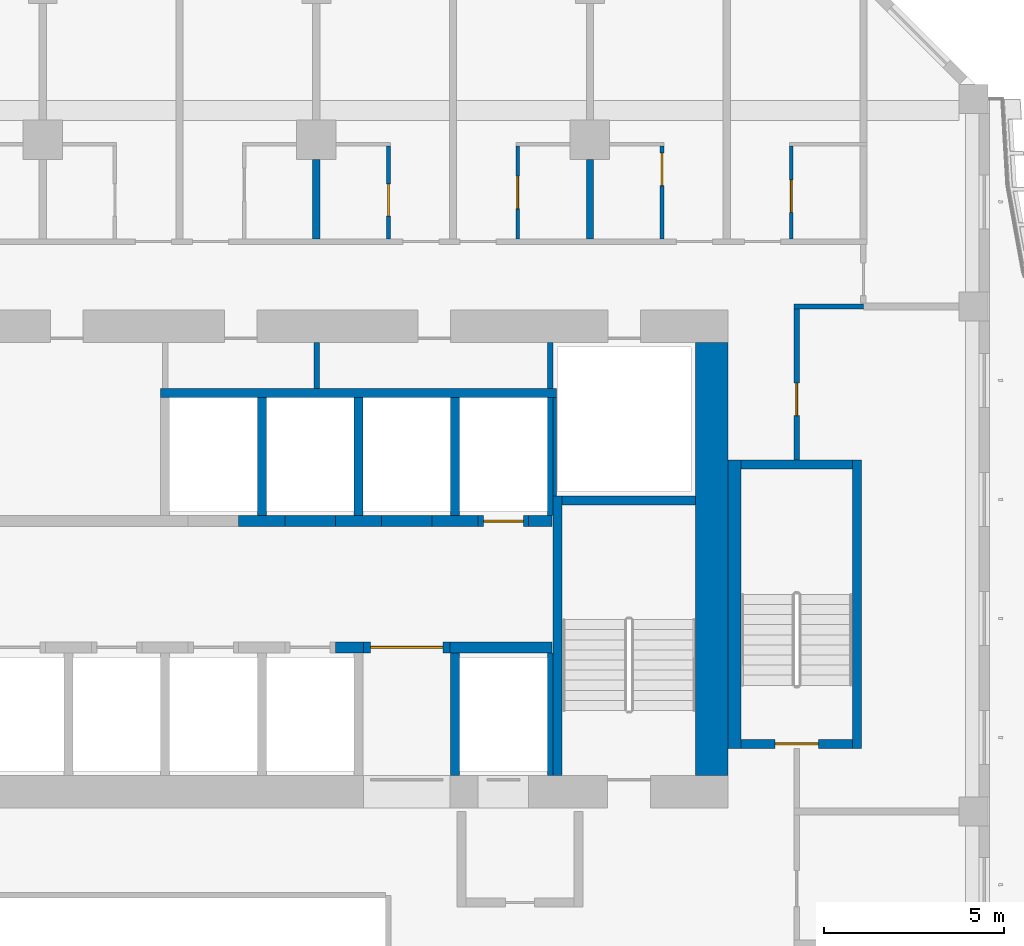
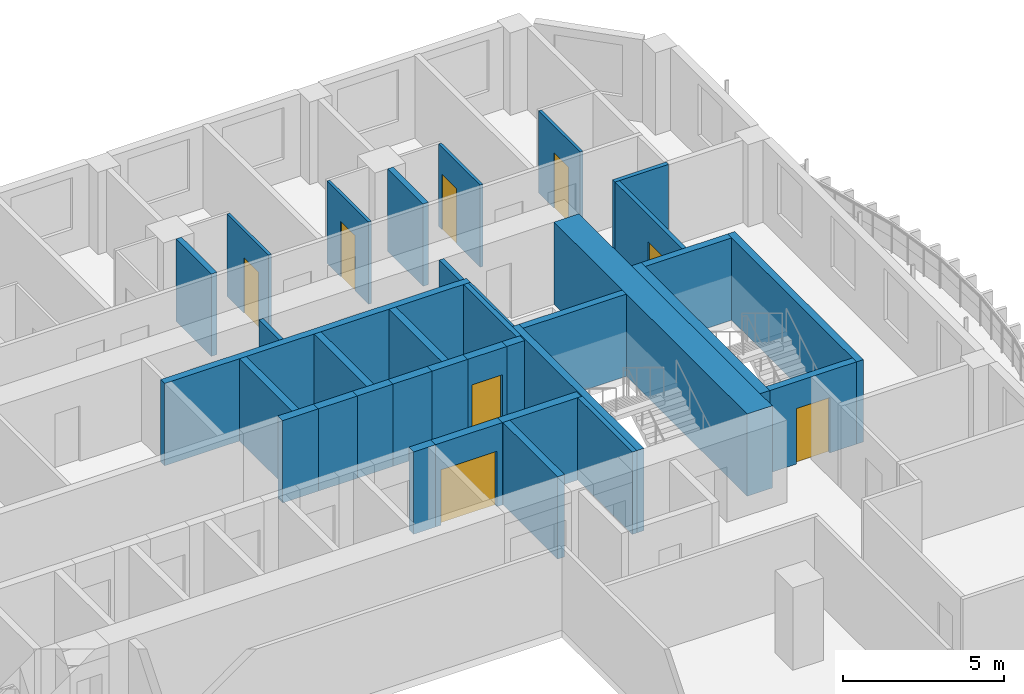
# One storey, part 9 of 21: 35 walls, 8 doors, 8 openings.
"""IFC4 building model written with IfcOpenShell, lengths in metres."""

from ifc_helpers import new_model, si_unit, direction, frame, frame_2d, origin, place, context, subcontext, project, spatial, rectangle, extrude, source, transform, mapped, material, layer, layer_set, type_object, element, fill, save


model = new_model("IFC4")

# Units and contexts
model_context = context("Model", 3, precision=1e-05, world=origin(), true_north=direction((0.0, 1.0)))
body_context = subcontext(model_context, "Body", "Model", "MODEL_VIEW")
ifc_project = project(units=[si_unit("LENGTHUNIT", "METRE"), si_unit("AREAUNIT", "SQUARE_METRE"), si_unit("VOLUMEUNIT", "CUBIC_METRE"), si_unit("PLANEANGLEUNIT", "RADIAN"), si_unit("MASSUNIT", "GRAM", prefix="KILO")], contexts=[model_context])

# Site, building, storey
site_placement = place(None, origin())
site = spatial("IfcSite", under=ifc_project, at=site_placement, CompositionType="ELEMENT")
building_placement = place(site_placement, origin())
building = spatial("IfcBuilding", under=site, at=building_placement, Name="Kilnfold Tower and Market Hall", CompositionType="ELEMENT")
storey_placement = place(building_placement, frame((0.0, 0.0, 147.300048828125)))
storey = spatial("IfcBuildingStorey", under=building, at=storey_placement, Name="L33", CompositionType="ELEMENT", Elevation=147.300048828125)

# Wall
ifc_material_1 = material(Name="Gypsum board on steel studs", Category="steel")
ifc_layer_1 = layer(ifc_material_1, 0.14990234375)
ifc_layer_set_1 = layer_set([ifc_layer_1], Name="Gypsum board on steel studs")
wall_type_1 = type_object("IfcWallType", Name="WALL CORRIDOR 150", PredefinedType="PARTITIONING", material=ifc_layer_set_1)
wall_1_placement = place(storey_placement, frame((19.824951171875, 22.0, 0.0), z_axis=(0.0, 0.0, 1.0), x_axis=(1.0, 0.0, 0.0)))
element("IfcWall", 1, at=wall_1_placement, inside=storey, type_object=wall_type_1, Name="Partition LY21.28", PredefinedType="PARTITIONING", context=body_context, shape_type="SweptSolid", body=[
    extrude(rectangle(XDim=1.925048828125, YDim=0.14990234375, at=frame_2d((0.96240234375, 0.0))), origin(), (0.0, 0.0, 1.0), 3.119873046875),
])

# Wall, opening, door
wall_2_placement = place(storey_placement, frame((19.89990234375, 17.75, 0.0), z_axis=(0.0, 0.0, 1.0), x_axis=(0.0, 1.0, 0.0)))
wall_2 = element("IfcWall", 2, at=wall_2_placement, inside=storey, type_object=wall_type_1, Name="Partition LY21.29", PredefinedType="PARTITIONING", context=body_context, shape_type="SweptSolid", body=[
    extrude(rectangle(XDim=4.175048828125, YDim=0.14990234375, at=frame_2d((2.08740234375, 0.0))), origin(), (0.0, 0.0, 1.0), 3.119873046875),
])
opening_1_placement = place(wall_2_placement, frame((1.22705078125, 0.0, 0.0)))
opening_1 = element("IfcOpeningElement", 3, at=opening_1_placement, cuts=wall_2, Name="Opening D2", PredefinedType="OPENING", context=body_context, shape_type="SweptSolid", body=[
    extrude(rectangle(XDim=0.89990234375, YDim=2.10009765625, at=frame_2d((0.449951171875, 1.050048828125))), frame((0.0, 0.0849609375, 0.0), z_axis=(0.0, -1.0, 0.0), x_axis=(1.0, 0.0, 0.0)), (0.0, 0.0, 1.0), 0.169921875),
])
ifc_material_2 = material(Name="Timber veneer door leaf in steel frame", Category="steel")
door_type_1 = type_object("IfcDoorType", Name="DOOR ROOM 900 X2100", OperationType="NOTDEFINED", PredefinedType="DOOR", material=ifc_material_2)
door_1_placement = place(opening_1_placement, origin())
door_1 = element("IfcDoor", 4, at=door_1_placement, inside=storey, type_object=door_type_1, Name="Door D2", OperationType="SINGLE_SWING_LEFT", OverallHeight=2.10009765625, OverallWidth=0.89990234375, PredefinedType="DOOR", context=body_context, shape_type="SweptSolid", body=[
    extrude(rectangle(XDim=0.89990234375, YDim=2.10009765625, at=frame_2d((0.449951171875, 1.050048828125))), frame((0.0, 0.02490234375, 0.0), z_axis=(0.0, -1.0, 0.0), x_axis=(1.0, 0.0, 0.0)), (0.0, 0.0, 1.0), 0.050048828125),
])
fill(opening_1, door_1)

ifc_material_3 = material(Name="Gypsum board on steel studs", Category="steel")
ifc_layer_2 = layer(ifc_material_3, 0.10009765625)
ifc_layer_set_2 = layer_set([ifc_layer_2], Name="Gypsum board on steel studs")
wall_type_2 = type_object("IfcWallType", Name="WALL PARTITION 100", PredefinedType="PARTITIONING", material=ifc_layer_set_2)
wall_3_placement = place(storey_placement, frame((8.5830078125, 26.451904296875, 0.0), z_axis=(0.0, 0.0, 1.0), x_axis=(0.0, -1.0, 0.0)))
wall_3 = element("IfcWall", 5, at=wall_3_placement, inside=storey, type_object=wall_type_2, Name="Partition LY21.109", PredefinedType="PARTITIONING", context=body_context, shape_type="SweptSolid", body=[
    extrude(rectangle(XDim=2.574951171875, YDim=0.10009765625, at=frame_2d((1.28759765625, 0.0))), origin(), (0.0, 0.0, 1.0), 3.119873046875),
])
opening_2_placement = place(wall_3_placement, frame((1.050048828125, 0.0, 0.0)))
opening_2 = element("IfcOpeningElement", 6, at=opening_2_placement, cuts=wall_3, Name="Opening D3", PredefinedType="OPENING", context=body_context, shape_type="SweptSolid", body=[
    extrude(rectangle(XDim=0.89990234375, YDim=2.10009765625, at=frame_2d((0.449951171875, 1.050048828125))), frame((0.0, 0.06005859375, 0.0), z_axis=(0.0, -1.0, 0.0), x_axis=(1.0, 0.0, 0.0)), (0.0, 0.0, 1.0), 0.1201171875),
])
ifc_material_4 = material(Name="Timber veneer door leaf in steel frame", Category="steel")
door_type_2 = type_object("IfcDoorType", Name="DOOR WC 900 X2100", OperationType="NOTDEFINED", PredefinedType="DOOR", material=ifc_material_4)
door_2_placement = place(opening_2_placement, origin())
door_2 = element("IfcDoor", 7, at=door_2_placement, inside=storey, type_object=door_type_2, Name="Door D3", OperationType="SINGLE_SWING_LEFT", OverallHeight=2.10009765625, OverallWidth=0.89990234375, PredefinedType="DOOR", context=body_context, shape_type="SweptSolid", body=[
    extrude(rectangle(XDim=0.89990234375, YDim=2.10009765625, at=frame_2d((0.449951171875, 1.050048828125))), frame((0.0, 0.02490234375, 0.0), z_axis=(0.0, -1.0, 0.0), x_axis=(1.0, 0.0, 0.0)), (0.0, 0.0, 1.0), 0.050048828125),
])
fill(opening_2, door_2)

wall_4_placement = place(storey_placement, frame((12.1669921875, 23.876953125, 0.0), z_axis=(0.0, 0.0, 1.0), x_axis=(0.0, 1.0, 0.0)))
wall_4 = element("IfcWall", 8, at=wall_4_placement, inside=storey, type_object=wall_type_2, Name="Partition LY21.112", PredefinedType="PARTITIONING", context=body_context, shape_type="SweptSolid", body=[
    extrude(rectangle(XDim=2.574951171875, YDim=0.10009765625, at=frame_2d((1.28759765625, 0.0))), origin(), (0.0, 0.0, 1.0), 3.119873046875),
])
opening_3_placement = place(wall_4_placement, frame((0.837890625, 0.0, 0.0)))
opening_3 = element("IfcOpeningElement", 9, at=opening_3_placement, cuts=wall_4, Name="Opening D3", PredefinedType="OPENING", context=body_context, shape_type="SweptSolid", body=[
    extrude(rectangle(XDim=0.89990234375, YDim=2.10009765625, at=frame_2d((0.449951171875, 1.050048828125))), frame((0.0, 0.06005859375, 0.0), z_axis=(0.0, -1.0, 0.0), x_axis=(1.0, 0.0, 0.0)), (0.0, 0.0, 1.0), 0.1201171875),
])
door_3_placement = place(opening_3_placement, origin())
door_3 = element("IfcDoor", 10, at=door_3_placement, inside=storey, type_object=door_type_2, Name="Door D3", OperationType="SINGLE_SWING_LEFT", OverallHeight=2.10009765625, OverallWidth=0.89990234375, PredefinedType="DOOR", context=body_context, shape_type="SweptSolid", body=[
    extrude(rectangle(XDim=0.89990234375, YDim=2.10009765625, at=frame_2d((0.449951171875, 1.050048828125))), frame((0.0, 0.02490234375, 0.0), z_axis=(0.0, -1.0, 0.0), x_axis=(1.0, 0.0, 0.0)), (0.0, 0.0, 1.0), 0.050048828125),
])
fill(opening_3, door_3)

wall_5_placement = place(storey_placement, frame((16.1669921875, 26.451904296875, 0.0), z_axis=(0.0, 0.0, 1.0), x_axis=(0.0, -1.0, 0.0)))
wall_5 = element("IfcWall", 11, at=wall_5_placement, inside=storey, type_object=wall_type_2, Name="Partition LY21.116", PredefinedType="PARTITIONING", context=body_context, shape_type="SweptSolid", body=[
    extrude(rectangle(XDim=2.574951171875, YDim=0.10009765625, at=frame_2d((1.28759765625, 0.0))), origin(), (0.0, 0.0, 1.0), 3.119873046875),
])
opening_4_placement = place(wall_5_placement, frame((0.199951171875, 0.0, 0.0)))
opening_4 = element("IfcOpeningElement", 12, at=opening_4_placement, cuts=wall_5, Name="Opening D3", PredefinedType="OPENING", context=body_context, shape_type="SweptSolid", body=[
    extrude(rectangle(XDim=0.89990234375, YDim=2.10009765625, at=frame_2d((0.449951171875, 1.050048828125))), frame((0.0, 0.06005859375, 0.0), z_axis=(0.0, -1.0, 0.0), x_axis=(1.0, 0.0, 0.0)), (0.0, 0.0, 1.0), 0.1201171875),
])
door_4_placement = place(opening_4_placement, origin())
door_4 = element("IfcDoor", 13, at=door_4_placement, inside=storey, type_object=door_type_2, Name="Door D3", OperationType="SINGLE_SWING_LEFT", OverallHeight=2.10009765625, OverallWidth=0.89990234375, PredefinedType="DOOR", context=body_context, shape_type="SweptSolid", body=[
    extrude(rectangle(XDim=0.89990234375, YDim=2.10009765625, at=frame_2d((0.449951171875, 1.050048828125))), frame((0.0, 0.02490234375, 0.0), z_axis=(0.0, -1.0, 0.0), x_axis=(1.0, 0.0, 0.0)), (0.0, 0.0, 1.0), 0.050048828125),
])
fill(opening_4, door_4)

wall_6_placement = place(storey_placement, frame((19.75, 23.876953125, 0.0), z_axis=(0.0, 0.0, 1.0), x_axis=(0.0, 1.0, 0.0)))
wall_6 = element("IfcWall", 14, at=wall_6_placement, inside=storey, type_object=wall_type_2, Name="Partition LY21.119", PredefinedType="PARTITIONING", context=body_context, shape_type="SweptSolid", body=[
    extrude(rectangle(XDim=2.574951171875, YDim=0.10009765625, at=frame_2d((1.28759765625, 0.0))), origin(), (0.0, 0.0, 1.0), 3.119873046875),
])
opening_5_placement = place(wall_6_placement, frame((0.73095703125, 0.0, 0.0)))
opening_5 = element("IfcOpeningElement", 15, at=opening_5_placement, cuts=wall_6, Name="Opening D3", PredefinedType="OPENING", context=body_context, shape_type="SweptSolid", body=[
    extrude(rectangle(XDim=0.89990234375, YDim=2.10009765625, at=frame_2d((0.449951171875, 1.050048828125))), frame((0.0, 0.06005859375, 0.0), z_axis=(0.0, -1.0, 0.0), x_axis=(1.0, 0.0, 0.0)), (0.0, 0.0, 1.0), 0.1201171875),
])
door_5_placement = place(opening_5_placement, origin())
door_5 = element("IfcDoor", 16, at=door_5_placement, inside=storey, type_object=door_type_2, Name="Door D3", OperationType="SINGLE_SWING_RIGHT", OverallHeight=2.10009765625, OverallWidth=0.89990234375, PredefinedType="DOOR", context=body_context, shape_type="SweptSolid", body=[
    extrude(rectangle(XDim=0.89990234375, YDim=2.10009765625, at=frame_2d((0.449951171875, 1.050048828125))), frame((0.0, 0.02490234375, 0.0), z_axis=(0.0, -1.0, 0.0), x_axis=(1.0, 0.0, 0.0)), (0.0, 0.0, 1.0), 0.050048828125),
])
fill(opening_5, door_5)

# Walls
ifc_material_5 = material(Name="Gypsum board on steel studs", Category="steel")
ifc_layer_3 = layer(ifc_material_5, 0.199951171875)
ifc_layer_set_3 = layer_set([ifc_layer_3], Name="Gypsum board on steel studs")
wall_type_3 = type_object("IfcWallType", Name="WALL PARTY 200", PredefinedType="PARTITIONING", material=ifc_layer_set_3)
for number, where, z_axis, x_axis, name in (
    (17, (6.5830078125, 23.876953125, 0.0), (0.0, 0.0, 1.0), (0.0, 1.0, 0.0), "Partition LY21.107"),
    (18, (14.1669921875, 23.876953125, 0.0), (0.0, 0.0, 1.0), (0.0, 1.0, 0.0), "Partition LY21.114"),
):
    element("IfcWall", number, at=place(storey_placement, frame(where, z_axis=z_axis, x_axis=x_axis)), inside=storey, type_object=wall_type_3, Name=name, PredefinedType="PARTITIONING", context=body_context, shape_type="SweptSolid", body=[
        extrude(rectangle(XDim=2.197998046875, YDim=0.199951171875, at=frame_2d((1.09912109375, 0.0))), origin(), (0.0, 0.0, 1.0), 3.119873046875),
    ])
ifc_material_6 = material(Name="Concrete C70", Category="concrete")
ifc_layer_4 = layer(ifc_material_6, 0.89990234375)
ifc_layer_set_4 = layer_set([ifc_layer_4], Name="Concrete C70")
wall_type_4 = type_object("IfcWallType", Name="CORE WALL 900 C70", PredefinedType="SHEAR", material=ifc_layer_set_4)
shared_shape_1 = source(origin(), body_context, "Body", "SweptSolid", [
    extrude(rectangle(XDim=12.0, YDim=0.89990234375, at=frame_2d((6.0, 0.0))), origin(), (0.0, 0.0, 1.0), 3.119873046875),
])
wall_7_placement = place(storey_placement, frame((17.550048828125, 9.0, 0.0), z_axis=(0.0, 0.0, 1.0), x_axis=(0.0, 1.0, 0.0)))
element("IfcWall", 19, at=wall_7_placement, inside=storey, type_object=wall_type_4, Name="Core outer wall east", PredefinedType="SHEAR", context=body_context, shape_type="MappedRepresentation", body=[
    mapped(shared_shape_1, transform((0.0, 0.0, 0.0))),
])
ifc_material_7 = material(Name="Concrete C70", Category="concrete")
ifc_layer_5 = layer(ifc_material_7, 0.25)
ifc_layer_set_5 = layer_set([ifc_layer_5], Name="Concrete C70")
wall_type_5 = type_object("IfcWallType", Name="CORE WALL 250 C70", PredefinedType="SHEAR", material=ifc_layer_set_5)
shared_shape_2 = source(origin(), body_context, "Body", "SweptSolid", [
    extrude(rectangle(XDim=7.75, YDim=0.25, at=frame_2d((3.875, 0.0))), origin(), (0.0, 0.0, 1.0), 3.119873046875),
])
wall_8_placement = place(storey_placement, frame((13.27490234375, 9.0, 0.0), z_axis=(0.0, 0.0, 1.0), x_axis=(0.0, 1.0, 0.0)))
element("IfcWall", 20, at=wall_8_placement, inside=storey, type_object=wall_type_5, Name="Stair enclosure ST2", PredefinedType="SHEAR", context=body_context, shape_type="MappedRepresentation", body=[
    mapped(shared_shape_2, transform((0.0, 0.0, 0.0))),
])
shared_shape_3 = source(origin(), body_context, "Body", "SweptSolid", [
    extrude(rectangle(XDim=3.7001953125, YDim=0.25, at=frame_2d((1.85009765625, 0.0))), origin(), (0.0, 0.0, 1.0), 3.119873046875),
])
wall_9_placement = place(storey_placement, frame((13.39990234375, 16.625, 0.0), z_axis=(0.0, 0.0, 1.0), x_axis=(1.0, 0.0, 0.0)))
element("IfcWall", 21, at=wall_9_placement, inside=storey, type_object=wall_type_5, Name="Stair enclosure ST2", PredefinedType="SHEAR", context=body_context, shape_type="MappedRepresentation", body=[
    mapped(shared_shape_3, transform((0.0, 0.0, 0.0))),
])
shared_shape_4 = source(origin(), body_context, "Body", "SweptSolid", [
    extrude(rectangle(XDim=8.0, YDim=0.25, at=frame_2d((4.0, 0.0))), origin(), (0.0, 0.0, 1.0), 3.119873046875),
])
wall_10_placement = place(storey_placement, frame((21.574951171875, 9.75, 0.0), z_axis=(0.0, 0.0, 1.0), x_axis=(0.0, 1.0, 0.0)))
element("IfcWall", 22, at=wall_10_placement, inside=storey, type_object=wall_type_5, Name="Stair enclosure ST5", PredefinedType="SHEAR", context=body_context, shape_type="MappedRepresentation", body=[
    mapped(shared_shape_4, transform((0.0, 0.0, 0.0))),
])
ifc_material_8 = material(Name="Concrete C70", Category="concrete")
ifc_layer_6 = layer(ifc_material_8, 0.35009765625)
ifc_layer_set_6 = layer_set([ifc_layer_6], Name="Concrete C70")
wall_type_6 = type_object("IfcWallType", Name="CORE WALL 350 C70", PredefinedType="SHEAR", material=ifc_layer_set_6)
shared_shape_5 = source(origin(), body_context, "Body", "SweptSolid", [
    extrude(rectangle(XDim=8.0, YDim=0.35009765625, at=frame_2d((4.0, 0.0))), origin(), (0.0, 0.0, 1.0), 3.119873046875),
])
wall_11_placement = place(storey_placement, frame((18.175048828125, 9.75, 0.0), z_axis=(0.0, 0.0, 1.0), x_axis=(0.0, 1.0, 0.0)))
element("IfcWall", 23, at=wall_11_placement, inside=storey, type_object=wall_type_6, Name="Stair enclosure ST5", PredefinedType="SHEAR", context=body_context, shape_type="MappedRepresentation", body=[
    mapped(shared_shape_5, transform((0.0, 0.0, 0.0))),
])

# Wall, opening, door
shared_shape_6 = source(origin(), body_context, "Body", "SweptSolid", [
    extrude(rectangle(XDim=3.099853515625, YDim=0.25, at=frame_2d((1.5498046875, 0.0))), origin(), (0.0, 0.0, 1.0), 3.119873046875),
])
wall_12_placement = place(storey_placement, frame((18.35009765625, 9.875, 0.0), z_axis=(0.0, 0.0, 1.0), x_axis=(1.0, 0.0, 0.0)))
wall_12 = element("IfcWall", 24, at=wall_12_placement, inside=storey, type_object=wall_type_5, Name="Stair enclosure ST5", PredefinedType="SHEAR", context=body_context, shape_type="MappedRepresentation", body=[
    mapped(shared_shape_6, transform((0.0, 0.0, 0.0))),
])
opening_6_placement = place(wall_12_placement, frame((0.949951171875, 0.0, 0.0)))
opening_6 = element("IfcOpeningElement", 25, at=opening_6_placement, cuts=wall_12, Name="Opening SD1", PredefinedType="OPENING", context=body_context, shape_type="SweptSolid", body=[
    extrude(rectangle(XDim=1.199951171875, YDim=2.10009765625, at=frame_2d((0.60009765625, 1.050048828125))), frame((0.0, 0.135009765625, 0.0), z_axis=(0.0, -1.0, 0.0), x_axis=(1.0, 0.0, 0.0)), (0.0, 0.0, 1.0), 0.27001953125),
])
ifc_material_9 = material(Name="Steel door set with fire-resisting leaf", Category="steel")
door_type_3 = type_object("IfcDoorType", Name="STAIR FLOOR DOOR 1200X2100", OperationType="NOTDEFINED", PredefinedType="DOOR", material=ifc_material_9)
door_6_placement = place(opening_6_placement, origin())
door_6 = element("IfcDoor", 26, at=door_6_placement, inside=storey, type_object=door_type_3, Name="Exit stair ST5 door", OperationType="DOUBLE_DOOR_SINGLE_SWING", OverallHeight=2.10009765625, OverallWidth=1.199951171875, PredefinedType="DOOR", context=body_context, shape_type="SweptSolid", body=[
    extrude(rectangle(XDim=1.199951171875, YDim=2.10009765625, at=frame_2d((0.60009765625, 1.050048828125))), frame((0.0, 0.02490234375, 0.0), z_axis=(0.0, -1.0, 0.0), x_axis=(1.0, 0.0, 0.0)), (0.0, 0.0, 1.0), 0.050048828125),
])
fill(opening_6, door_6)

# Walls
wall_13_placement = place(storey_placement, frame((18.35009765625, 17.625, 0.0), z_axis=(0.0, 0.0, 1.0), x_axis=(1.0, 0.0, 0.0)))
element("IfcWall", 27, at=wall_13_placement, inside=storey, type_object=wall_type_5, Name="Stair enclosure ST5", PredefinedType="SHEAR", context=body_context, shape_type="MappedRepresentation", body=[
    mapped(shared_shape_6, transform((0.0, 0.0, 0.0))),
])
ifc_material_10 = material(Name="Concrete C70", Category="concrete")
ifc_layer_7 = layer(ifc_material_10, 0.300048828125)
ifc_layer_set_7 = layer_set([ifc_layer_7], Name="Concrete C70")
wall_type_7 = type_object("IfcWallType", Name="CORE WALL 300 C70", PredefinedType="SHEAR", material=ifc_layer_set_7)
shared_shape_7 = source(origin(), body_context, "Body", "SweptSolid", [
    extrude(rectangle(XDim=1.280029296875, YDim=0.300048828125, at=frame_2d((0.64013671875, 0.0))), origin(), (0.0, 0.0, 1.0), 3.119873046875),
])
for number, where, z_axis, x_axis, name in (
    (28, (4.429931640625, 16.050048828125, 0.0), (0.0, 0.0, 1.0), (1.0, 0.0, 0.0), "Core spine wall"),
    (29, (9.7900390625, 16.050048828125, 0.0), (0.0, 0.0, 1.0), (1.0, 0.0, 0.0), "Core spine wall"),
):
    element("IfcWall", number, at=place(storey_placement, frame(where, z_axis=z_axis, x_axis=x_axis)), inside=storey, type_object=wall_type_7, Name=name, PredefinedType="SHEAR", context=body_context, shape_type="MappedRepresentation", body=[
        mapped(shared_shape_7, transform((0.0, 0.0, 0.0))),
    ])
shared_shape_8 = source(origin(), body_context, "Body", "SweptSolid", [
    extrude(rectangle(XDim=0.77978515625, YDim=0.300048828125, at=frame_2d((0.389892578125, 0.0))), origin(), (0.0, 0.0, 1.0), 3.119873046875),
])
wall_14_placement = place(storey_placement, frame((7.110107421875, 12.550048828125, 0.0), z_axis=(0.0, 0.0, 1.0), x_axis=(1.0, 0.0, 0.0)))
element("IfcWall", 30, at=wall_14_placement, inside=storey, type_object=wall_type_7, Name="Core spine wall", PredefinedType="SHEAR", context=body_context, shape_type="MappedRepresentation", body=[
    mapped(shared_shape_8, transform((0.0, 0.0, 0.0))),
])
shared_shape_9 = source(origin(), body_context, "Body", "SweptSolid", [
    extrude(rectangle(XDim=2.820068359375, YDim=0.300048828125, at=frame_2d((1.41015625, 0.0))), origin(), (0.0, 0.0, 1.0), 3.119873046875),
])
wall_15_placement = place(storey_placement, frame((10.2900390625, 12.550048828125, 0.0), z_axis=(0.0, 0.0, 1.0), x_axis=(1.0, 0.0, 0.0)))
element("IfcWall", 31, at=wall_15_placement, inside=storey, type_object=wall_type_7, Name="Core spine wall", PredefinedType="SHEAR", context=body_context, shape_type="MappedRepresentation", body=[
    mapped(shared_shape_9, transform((0.0, 0.0, 0.0))),
])
shared_shape_10 = source(origin(), body_context, "Body", "SweptSolid", [
    extrude(rectangle(XDim=1.27978515625, YDim=0.300048828125, at=frame_2d((0.639892578125, 0.0))), origin(), (0.0, 0.0, 1.0), 3.119873046875),
])
wall_16_placement = place(storey_placement, frame((7.110107421875, 16.050048828125, 0.0), z_axis=(0.0, 0.0, 1.0), x_axis=(1.0, 0.0, 0.0)))
element("IfcWall", 32, at=wall_16_placement, inside=storey, type_object=wall_type_7, Name="Core spine wall", PredefinedType="SHEAR", context=body_context, shape_type="MappedRepresentation", body=[
    mapped(shared_shape_10, transform((0.0, 0.0, 0.0))),
])
shared_shape_11 = source(origin(), body_context, "Body", "SweptSolid", [
    extrude(rectangle(XDim=0.64013671875, YDim=0.300048828125, at=frame_2d((0.320068359375, 0.0))), origin(), (0.0, 0.0, 1.0), 3.119873046875),
])
wall_17_placement = place(storey_placement, frame((12.469970703125, 16.050048828125, 0.0), z_axis=(0.0, 0.0, 1.0), x_axis=(1.0, 0.0, 0.0)))
element("IfcWall", 33, at=wall_17_placement, inside=storey, type_object=wall_type_7, Name="Core spine wall", PredefinedType="SHEAR", context=body_context, shape_type="MappedRepresentation", body=[
    mapped(shared_shape_11, transform((0.0, 0.0, 0.0))),
])

# Wall, opening, door
ifc_material_11 = material(Name="Gypsum shaft wall system")
ifc_layer_8 = layer(ifc_material_11, 0.300048828125)
ifc_layer_set_8 = layer_set([ifc_layer_8], Name="Gypsum shaft wall system")
wall_type_8 = type_object("IfcWallType", Name="SHAFT WALL 300", PredefinedType="PARTITIONING", material=ifc_layer_set_8)
shared_shape_12 = source(origin(), body_context, "Body", "SweptSolid", [
    extrude(rectangle(XDim=1.39990234375, YDim=0.300048828125, at=frame_2d((0.699951171875, 0.0))), origin(), (0.0, 0.0, 1.0), 3.119873046875),
])
wall_18_placement = place(storey_placement, frame((11.070068359375, 16.050048828125, 0.0), z_axis=(0.0, 0.0, 1.0), x_axis=(1.0, 0.0, 0.0)))
wall_18 = element("IfcWall", 34, at=wall_18_placement, inside=storey, type_object=wall_type_8, Name="Lift shaft front wall", PredefinedType="PARTITIONING", context=body_context, shape_type="MappedRepresentation", body=[
    mapped(shared_shape_12, transform((0.0, 0.0, 0.0))),
])
opening_7_placement = place(wall_18_placement, frame((0.14990234375, 0.0, 0.0)))
opening_7 = element("IfcOpeningElement", 35, at=opening_7_placement, cuts=wall_18, Name="Opening LD2", PredefinedType="OPENING", context=body_context, shape_type="SweptSolid", body=[
    extrude(rectangle(XDim=1.10009765625, YDim=2.10009765625, at=frame_2d((0.550048828125, 1.050048828125))), frame((0.0, 0.16015625, 0.0), z_axis=(0.0, -1.0, 0.0), x_axis=(1.0, 0.0, 0.0)), (0.0, 0.0, 1.0), 0.320068359375),
])
ifc_material_12 = material(Name="Steel door set with fire-resisting leaf", Category="steel")
door_type_4 = type_object("IfcDoorType", Name="LANDING DOOR 1100X2100", OperationType="NOTDEFINED", PredefinedType="DOOR", material=ifc_material_12)
door_7_placement = place(opening_7_placement, origin())
door_7 = element("IfcDoor", 36, at=door_7_placement, inside=storey, type_object=door_type_4, Name="Landing door MR6", OperationType="DOUBLE_DOOR_SLIDING", OverallHeight=2.10009765625, OverallWidth=1.10009765625, PredefinedType="DOOR", context=body_context, shape_type="SweptSolid", body=[
    extrude(rectangle(XDim=1.10009765625, YDim=2.10009765625, at=frame_2d((0.550048828125, 1.050048828125))), frame((0.0, 0.02490234375, 0.0), z_axis=(0.0, -1.0, 0.0), x_axis=(1.0, 0.0, 0.0)), (0.0, 0.0, 1.0), 0.050048828125),
])
fill(opening_7, door_7)

# Walls
shared_shape_13 = source(origin(), body_context, "Body", "SweptSolid", [
    extrude(rectangle(XDim=1.400146484375, YDim=0.300048828125, at=frame_2d((0.7001953125, 0.0))), origin(), (0.0, 0.0, 1.0), 3.119873046875),
])
for number, where, z_axis, x_axis, name in (
    (37, (5.7099609375, 16.050048828125, 0.0), (0.0, 0.0, 1.0), (1.0, 0.0, 0.0), "Lift shaft front wall"),
    (38, (8.389892578125, 16.050048828125, 0.0), (0.0, 0.0, 1.0), (1.0, 0.0, 0.0), "Lift shaft front wall"),
):
    element("IfcWall", number, at=place(storey_placement, frame(where, z_axis=z_axis, x_axis=x_axis)), inside=storey, type_object=wall_type_8, Name=name, PredefinedType="PARTITIONING", context=body_context, shape_type="MappedRepresentation", body=[
        mapped(shared_shape_13, transform((0.0, 0.0, 0.0))),
    ])

# Wall, opening, door
shared_shape_14 = source(origin(), body_context, "Body", "SweptSolid", [
    extrude(rectangle(XDim=2.400146484375, YDim=0.300048828125, at=frame_2d((1.2001953125, 0.0))), origin(), (0.0, 0.0, 1.0), 3.119873046875),
])
wall_19_placement = place(storey_placement, frame((7.889892578125, 12.550048828125, 0.0), z_axis=(0.0, 0.0, 1.0), x_axis=(1.0, 0.0, 0.0)))
wall_19 = element("IfcWall", 39, at=wall_19_placement, inside=storey, type_object=wall_type_8, Name="Lift shaft front wall", PredefinedType="PARTITIONING", context=body_context, shape_type="MappedRepresentation", body=[
    mapped(shared_shape_14, transform((0.0, 0.0, 0.0))),
])
opening_8_placement = place(wall_19_placement, frame((0.199951171875, 0.0, 0.0)))
opening_8 = element("IfcOpeningElement", 40, at=opening_8_placement, cuts=wall_19, Name="Opening VD2", PredefinedType="OPENING", context=body_context, shape_type="SweptSolid", body=[
    extrude(rectangle(XDim=2.0, YDim=2.10009765625, at=frame_2d((1.0, 1.050048828125))), frame((0.0, 0.16015625, 0.0), z_axis=(0.0, -1.0, 0.0), x_axis=(1.0, 0.0, 0.0)), (0.0, 0.0, 1.0), 0.320068359375),
])
ifc_material_13 = material(Name="Steel door set with fire-resisting leaf", Category="steel")
door_type_5 = type_object("IfcDoorType", Name="LIFT LOBBY ENTRANCE DOOR 2000X2100", OperationType="NOTDEFINED", PredefinedType="DOOR", material=ifc_material_13)
door_8_placement = place(opening_8_placement, origin())
door_8 = element("IfcDoor", 41, at=door_8_placement, inside=storey, type_object=door_type_5, Name="Lift lobby entrance door", OperationType="DOUBLE_DOOR_SINGLE_SWING", OverallHeight=2.10009765625, OverallWidth=2.0, PredefinedType="DOOR", context=body_context, shape_type="SweptSolid", body=[
    extrude(rectangle(XDim=2.0, YDim=2.10009765625, at=frame_2d((1.0, 1.050048828125))), frame((0.0, 0.02490234375, 0.0), z_axis=(0.0, -1.0, 0.0), x_axis=(1.0, 0.0, 0.0)), (0.0, 0.0, 1.0), 0.050048828125),
])
fill(opening_8, door_8)

# Walls
ifc_material_14 = material(Name="Gypsum shaft wall system")
ifc_layer_9 = layer(ifc_material_14, 0.25)
ifc_layer_set_9 = layer_set([ifc_layer_9], Name="Gypsum shaft wall system")
wall_type_9 = type_object("IfcWallType", Name="SHAFT WALL 250", PredefinedType="PARTITIONING", material=ifc_layer_set_9)
shared_shape_15 = source(origin(), body_context, "Body", "SweptSolid", [
    extrude(rectangle(XDim=10.97021484375, YDim=0.25, at=frame_2d((5.485107421875, 0.0))), origin(), (0.0, 0.0, 1.0), 3.119873046875),
])
wall_20_placement = place(storey_placement, frame((2.264892578125, 19.60009765625, 0.0), z_axis=(0.0, 0.0, 1.0), x_axis=(1.0, 0.0, 0.0)))
element("IfcWall", 42, at=wall_20_placement, inside=storey, type_object=wall_type_9, Name="Lift shaft wall", PredefinedType="PARTITIONING", context=body_context, shape_type="MappedRepresentation", body=[
    mapped(shared_shape_15, transform((0.0, 0.0, 0.0))),
])
ifc_material_15 = material(Name="Gypsum shaft wall system")
ifc_layer_10 = layer(ifc_material_15, 0.1650390625)
ifc_layer_set_10 = layer_set([ifc_layer_10], Name="Gypsum shaft wall system")
wall_type_10 = type_object("IfcWallType", Name="SHAFT WALL 165", PredefinedType="PARTITIONING", material=ifc_layer_set_10)
shared_shape_16 = source(origin(), body_context, "Body", "SweptSolid", [
    extrude(rectangle(XDim=3.275146484375, YDim=0.1650390625, at=frame_2d((1.6376953125, 0.0))), origin(), (0.0, 0.0, 1.0), 3.119873046875),
])
wall_21_placement = place(storey_placement, frame((13.0673828125, 16.199951171875, 0.0), z_axis=(0.0, 0.0, 1.0), x_axis=(0.0, 1.0, 0.0)))
element("IfcWall", 43, at=wall_21_placement, inside=storey, type_object=wall_type_10, Name="Lift shaft wall", PredefinedType="PARTITIONING", context=body_context, shape_type="MappedRepresentation", body=[
    mapped(shared_shape_16, transform((0.0, 0.0, 0.0))),
])
shared_shape_17 = source(origin(), body_context, "Body", "SweptSolid", [
    extrude(rectangle(XDim=1.27490234375, YDim=0.1650390625, at=frame_2d((0.637451171875, 0.0))), origin(), (0.0, 0.0, 1.0), 3.119873046875),
])
wall_22_placement = place(storey_placement, frame((13.0673828125, 19.72509765625, 0.0), z_axis=(0.0, 0.0, 1.0), x_axis=(0.0, 1.0, 0.0)))
element("IfcWall", 44, at=wall_22_placement, inside=storey, type_object=wall_type_10, Name="Lift shaft wall", PredefinedType="PARTITIONING", context=body_context, shape_type="MappedRepresentation", body=[
    mapped(shared_shape_17, transform((0.0, 0.0, 0.0))),
])
shared_shape_18 = source(origin(), body_context, "Body", "SweptSolid", [
    extrude(rectangle(XDim=3.275146484375, YDim=0.25, at=frame_2d((1.6376953125, 0.0))), origin(), (0.0, 0.0, 1.0), 3.119873046875),
])
for number, where, z_axis, x_axis, name in (
    (45, (10.429931640625, 16.199951171875, 0.0), (0.0, 0.0, 1.0), (0.0, 1.0, 0.0), "Lift shaft wall"),
    (46, (5.070068359375, 16.199951171875, 0.0), (0.0, 0.0, 1.0), (0.0, 1.0, 0.0), "Lift shaft wall"),
    (47, (7.75, 16.199951171875, 0.0), (0.0, 0.0, 1.0), (0.0, 1.0, 0.0), "Lift shaft wall"),
):
    element("IfcWall", number, at=place(storey_placement, frame(where, z_axis=z_axis, x_axis=x_axis)), inside=storey, type_object=wall_type_9, Name=name, PredefinedType="PARTITIONING", context=body_context, shape_type="MappedRepresentation", body=[
        mapped(shared_shape_18, transform((0.0, 0.0, 0.0))),
    ])
ifc_material_16 = material(Name="Gypsum shaft wall system")
ifc_layer_11 = layer(ifc_material_16, 0.0849609375)
ifc_layer_set_11 = layer_set([ifc_layer_11], Name="Gypsum shaft wall system")
wall_type_11 = type_object("IfcWallType", Name="SHAFT WALL 85", PredefinedType="PARTITIONING", material=ifc_layer_set_11)
shared_shape_19 = source(origin(), body_context, "Body", "SweptSolid", [
    extrude(rectangle(XDim=2.72509765625, YDim=0.0849609375, at=frame_2d((1.362548828125, 0.0))), origin(), (0.0, 0.0, 1.0), 3.119873046875),
])
wall_23_placement = place(storey_placement, frame((13.1923828125, 16.75, 0.0), z_axis=(0.0, 0.0, 1.0), x_axis=(0.0, 1.0, 0.0)))
element("IfcWall", 48, at=wall_23_placement, inside=storey, type_object=wall_type_11, Name="Lift shaft wall", PredefinedType="PARTITIONING", context=body_context, shape_type="MappedRepresentation", body=[
    mapped(shared_shape_19, transform((0.0, 0.0, 0.0))),
])
shared_shape_20 = source(origin(), body_context, "Body", "SweptSolid", [
    extrude(rectangle(XDim=3.39990234375, YDim=0.25, at=frame_2d((1.699951171875, 0.0))), origin(), (0.0, 0.0, 1.0), 3.119873046875),
])
wall_24_placement = place(storey_placement, frame((10.429931640625, 9.0, 0.0), z_axis=(0.0, 0.0, 1.0), x_axis=(0.0, 1.0, 0.0)))
element("IfcWall", 49, at=wall_24_placement, inside=storey, type_object=wall_type_9, Name="Lift shaft wall", PredefinedType="PARTITIONING", context=body_context, shape_type="MappedRepresentation", body=[
    mapped(shared_shape_20, transform((0.0, 0.0, 0.0))),
])
shared_shape_21 = source(origin(), body_context, "Body", "SweptSolid", [
    extrude(rectangle(XDim=3.39990234375, YDim=0.1650390625, at=frame_2d((1.699951171875, 0.0))), origin(), (0.0, 0.0, 1.0), 3.119873046875),
])
wall_25_placement = place(storey_placement, frame((13.0673828125, 9.0, 0.0), z_axis=(0.0, 0.0, 1.0), x_axis=(0.0, 1.0, 0.0)))
element("IfcWall", 50, at=wall_25_placement, inside=storey, type_object=wall_type_10, Name="Lift shaft wall", PredefinedType="PARTITIONING", context=body_context, shape_type="MappedRepresentation", body=[
    mapped(shared_shape_21, transform((0.0, 0.0, 0.0))),
])
ifc_material_17 = material(Name="Gypsum shaft wall system")
ifc_layer_12 = layer(ifc_material_17, 0.14990234375)
ifc_layer_set_12 = layer_set([ifc_layer_12], Name="Gypsum shaft wall system")
wall_type_12 = type_object("IfcWallType", Name="ROOM WALL 150", PredefinedType="PARTITIONING", material=ifc_layer_set_12)
shared_shape_22 = source(origin(), body_context, "Body", "SweptSolid", [
    extrude(rectangle(XDim=1.27490234375, YDim=0.14990234375, at=frame_2d((0.637451171875, 0.0))), origin(), (0.0, 0.0, 1.0), 3.119873046875),
])
wall_26_placement = place(storey_placement, frame((6.59765625, 19.72509765625, 0.0), z_axis=(0.0, 0.0, 1.0), x_axis=(0.0, 1.0, 0.0)))
element("IfcWall", 51, at=wall_26_placement, inside=storey, type_object=wall_type_12, Name="Core room wall", PredefinedType="PARTITIONING", context=body_context, shape_type="MappedRepresentation", body=[
    mapped(shared_shape_22, transform((0.0, 0.0, 0.0))),
])

save(model, "model.ifc")
